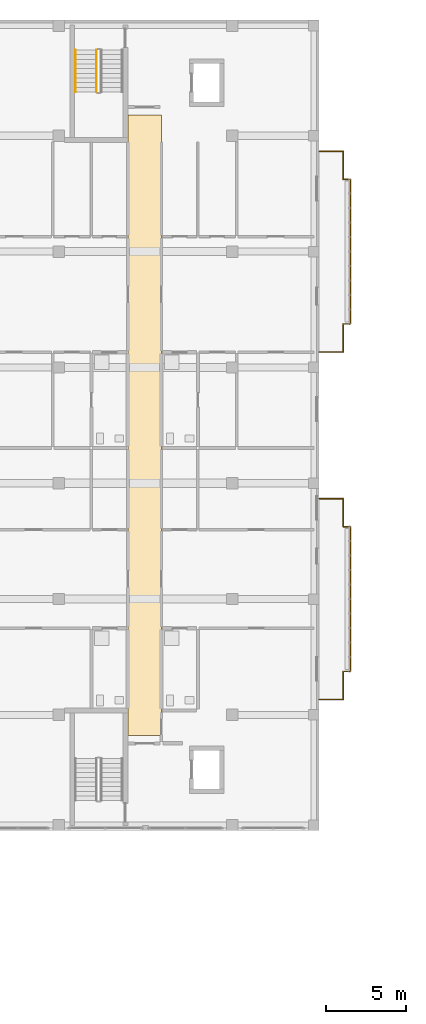
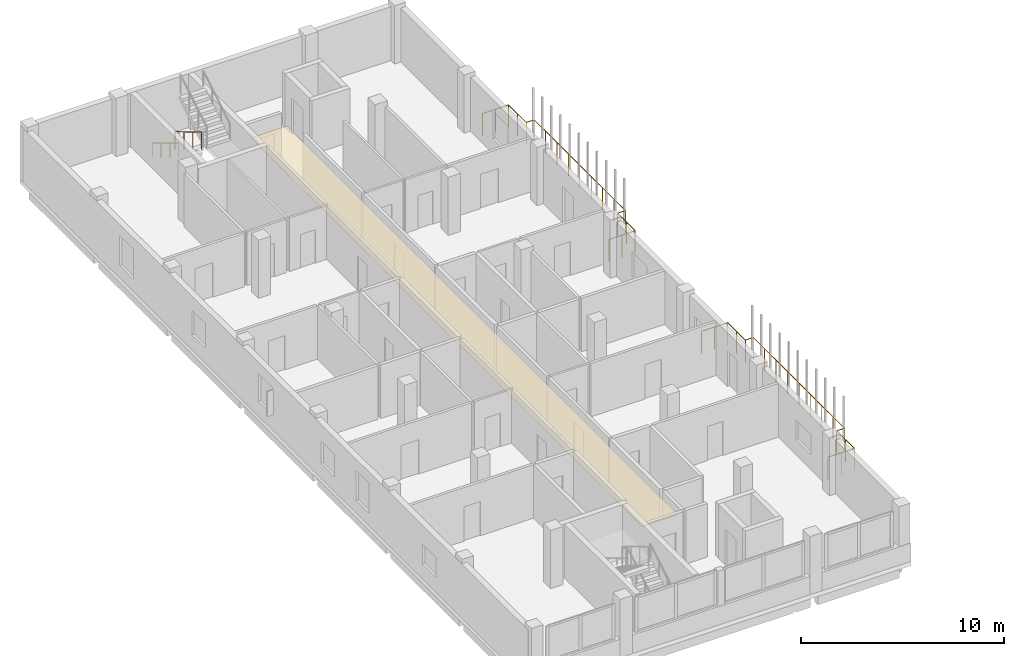
# One storey, part 64 of 73: 4 railings, 1 covering.
"""IFC4 building model written with IfcOpenShell, lengths in metres."""

from ifc_helpers import new_model, si_unit, derived_unit, direction, frame, origin, origin_2d, place, context, subcontext, project, spatial, polyline, circle, outline, extrude, material, layer, layer_set, type_object, element, save


model = new_model("IFC4")

# Units and contexts
model_context = context("Model", 3, precision=1e-05, world=origin(), true_north=direction((0.0, 1.0)))
body_context = subcontext(model_context, "Body", "Model", "MODEL_VIEW")
ifc_project = project(units=[si_unit("LENGTHUNIT", "METRE"), si_unit("AREAUNIT", "SQUARE_METRE"), si_unit("VOLUMEUNIT", "CUBIC_METRE"), si_unit("PLANEANGLEUNIT", "RADIAN"), si_unit("MASSUNIT", "GRAM", prefix="KILO"), derived_unit("THERMALTRANSMITTANCEUNIT", [(si_unit("MASSUNIT", "GRAM", prefix="KILO"), 1), (si_unit("TIMEUNIT", "SECOND"), -3), (si_unit("THERMODYNAMICTEMPERATUREUNIT", "KELVIN"), -1)])], contexts=[model_context])

# Site, building, storey
site_placement = place(None, origin())
site = spatial("IfcSite", under=ifc_project, at=site_placement, CompositionType="ELEMENT")
building_placement = place(site_placement, origin())
building = spatial("IfcBuilding", under=site, at=building_placement, Name="Ochrekiln Boulevard Commons", CompositionType="ELEMENT")
storey_placement = place(building_placement, frame((0.0, 0.0, 8.574951171875)))
storey = spatial("IfcBuildingStorey", under=building, at=storey_placement, Name="L02", CompositionType="ELEMENT", Elevation=8.574951171875)

# Covering
ifc_material_1 = material(Name="Mineral-fibre acoustic ceiling tile")
ifc_layer = layer(ifc_material_1, 0.02490234375)
ifc_layer_set = layer_set([ifc_layer], Name="Mineral-fibre acoustic ceiling tile")
covering_type = type_object("IfcCoveringType", Name="COV-CEIL-AC", PredefinedType="CEILING", material=ifc_layer_set)
covering_placement = place(storey_placement, frame((0.0, 0.0, 2.650146484375)))
element("IfcCovering", 1, at=covering_placement, inside=storey, type_object=covering_type, Name="L02 Acoustic Corridor Ceiling 31", PredefinedType="CEILING", context=body_context, shape_type="SweptSolid", body=[
    extrude(outline(polyline([(9.719970703125, 74.320068359375), (11.780029296875, 74.320068359375), (11.780029296875, 112.8798828125), (9.719970703125, 112.8798828125), (9.719970703125, 74.320068359375)])), origin(), (0.0, 0.0, 1.0), 0.02490234375),
])

# Railings
ifc_material_2 = material(Name="Bronze-anodized extruded aluminium 6063-T6", Category="aluminium")
railing_type_1 = type_object("IfcRailingType", Name="RLG-BAL-1350", PredefinedType="BALUSTRADE", material=ifc_material_2)
railing_1_placement = place(storey_placement, frame((21.60009765625, 76.56005859375, 0.0)))
element("IfcRailing", 2, at=railing_1_placement, inside=storey, type_object=railing_type_1, Name="Block A L02 Balcony Guard Balustrade 1", PredefinedType="BALUSTRADE", context=body_context, shape_type="SweptSolid", body=[
    extrude(circle(Radius=0.02392578125, at=origin_2d()), frame((0.0, 0.0, 1.326171875), z_axis=(1.0, 0.0, 0.0), x_axis=(0.0, 1.0, 0.0)), (0.0, 0.0, 1.0), 1.489990234375),
    extrude(circle(Radius=0.02392578125, at=origin_2d()), frame((1.489990234375, 0.0, 1.326171875), z_axis=(0.0, 1.0, 0.0), x_axis=(-1.0, 0.0, 0.0)), (0.0, 0.0, 1.0), 1.739990234375),
    extrude(circle(Radius=0.02392578125, at=origin_2d()), frame((1.489990234375, 1.739990234375, 1.326171875), z_axis=(1.0, 0.0, 0.0), x_axis=(0.0, 1.0, 0.0)), (0.0, 0.0, 1.0), 0.449951171875),
    extrude(circle(Radius=0.02392578125, at=origin_2d()), frame((1.93994140625, 1.739990234375, 1.326171875), z_axis=(0.0, 1.0, 0.0), x_axis=(-1.0, 0.0, 0.0)), (0.0, 0.0, 1.0), 9.0),
    extrude(circle(Radius=0.02392578125, at=origin_2d()), frame((1.93994140625, 10.739990234375, 1.326171875), z_axis=(-1.0, 0.0, 0.0), x_axis=(0.0, -1.0, 0.0)), (0.0, 0.0, 1.0), 0.449951171875),
    extrude(circle(Radius=0.02392578125, at=origin_2d()), frame((1.489990234375, 10.739990234375, 1.326171875), z_axis=(0.0, 1.0, 0.0), x_axis=(-1.0, 0.0, 0.0)), (0.0, 0.0, 1.0), 1.739990234375),
    extrude(circle(Radius=0.02392578125, at=origin_2d()), frame((1.489990234375, 12.47998046875, 1.326171875), z_axis=(-1.0, 0.0, 0.0), x_axis=(0.0, -1.0, 0.0)), (0.0, 0.0, 1.0), 1.489990234375),
    extrude(circle(Radius=0.02099609375, at=origin_2d()), origin(), (0.0, 0.0, 1.0), 1.302001953125),
    extrude(circle(Radius=0.02099609375, at=origin_2d()), frame((0.7451171875, 0.0, 0.0)), (0.0, 0.0, 1.0), 1.302001953125),
    extrude(circle(Radius=0.02099609375, at=origin_2d()), frame((1.489990234375, 0.0, 0.0)), (0.0, 0.0, 1.0), 1.302001953125),
    extrude(circle(Radius=0.02099609375, at=origin_2d()), frame((1.489990234375, 0.8701171875, 0.0)), (0.0, 0.0, 1.0), 1.302001953125),
    extrude(circle(Radius=0.02099609375, at=origin_2d()), frame((1.489990234375, 1.739990234375, 0.0)), (0.0, 0.0, 1.0), 1.302001953125),
    extrude(circle(Radius=0.02099609375, at=origin_2d()), frame((1.93994140625, 1.739990234375, 0.0)), (0.0, 0.0, 1.0), 1.302001953125),
    extrude(circle(Radius=0.02099609375, at=origin_2d()), frame((1.93994140625, 2.864990234375, 0.0)), (0.0, 0.0, 1.0), 1.302001953125),
    extrude(circle(Radius=0.02099609375, at=origin_2d()), frame((1.93994140625, 3.989990234375, 0.0)), (0.0, 0.0, 1.0), 1.302001953125),
    extrude(circle(Radius=0.02099609375, at=origin_2d()), frame((1.93994140625, 5.114990234375, 0.0)), (0.0, 0.0, 1.0), 1.302001953125),
    extrude(circle(Radius=0.02099609375, at=origin_2d()), frame((1.93994140625, 6.239990234375, 0.0)), (0.0, 0.0, 1.0), 1.302001953125),
    extrude(circle(Radius=0.02099609375, at=origin_2d()), frame((1.93994140625, 7.364990234375, 0.0)), (0.0, 0.0, 1.0), 1.302001953125),
    extrude(circle(Radius=0.02099609375, at=origin_2d()), frame((1.93994140625, 8.489990234375, 0.0)), (0.0, 0.0, 1.0), 1.302001953125),
    extrude(circle(Radius=0.02099609375, at=origin_2d()), frame((1.93994140625, 9.614990234375, 0.0)), (0.0, 0.0, 1.0), 1.302001953125),
    extrude(circle(Radius=0.02099609375, at=origin_2d()), frame((1.93994140625, 10.739990234375, 0.0)), (0.0, 0.0, 1.0), 1.302001953125),
    extrude(circle(Radius=0.02099609375, at=origin_2d()), frame((1.489990234375, 10.739990234375, 0.0)), (0.0, 0.0, 1.0), 1.302001953125),
    extrude(circle(Radius=0.02099609375, at=origin_2d()), frame((1.489990234375, 11.60986328125, 0.0)), (0.0, 0.0, 1.0), 1.302001953125),
    extrude(circle(Radius=0.02099609375, at=origin_2d()), frame((1.489990234375, 12.47998046875, 0.0)), (0.0, 0.0, 1.0), 1.302001953125),
    extrude(circle(Radius=0.02099609375, at=origin_2d()), frame((0.7451171875, 12.47998046875, 0.0)), (0.0, 0.0, 1.0), 1.302001953125),
    extrude(circle(Radius=0.02099609375, at=origin_2d()), frame((0.0, 12.47998046875, 0.0)), (0.0, 0.0, 1.0), 1.302001953125),
])
railing_2_placement = place(storey_placement, frame((21.60009765625, 98.159912109375, 0.0)))
element("IfcRailing", 3, at=railing_2_placement, inside=storey, type_object=railing_type_1, Name="Block A L02 Balcony Guard Balustrade 2", PredefinedType="BALUSTRADE", context=body_context, shape_type="SweptSolid", body=[
    extrude(circle(Radius=0.02392578125, at=origin_2d()), frame((0.0, 0.0, 1.326171875), z_axis=(1.0, 0.0, 0.0), x_axis=(0.0, 1.0, 0.0)), (0.0, 0.0, 1.0), 1.489990234375),
    extrude(circle(Radius=0.02392578125, at=origin_2d()), frame((1.489990234375, 0.0, 1.326171875), z_axis=(0.0, 1.0, 0.0), x_axis=(-1.0, 0.0, 0.0)), (0.0, 0.0, 1.0), 1.739990234375),
    extrude(circle(Radius=0.02392578125, at=origin_2d()), frame((1.489990234375, 1.739990234375, 1.326171875), z_axis=(1.0, 0.0, 0.0), x_axis=(0.0, 1.0, 0.0)), (0.0, 0.0, 1.0), 0.449951171875),
    extrude(circle(Radius=0.02392578125, at=origin_2d()), frame((1.93994140625, 1.739990234375, 1.326171875), z_axis=(0.0, 1.0, 0.0), x_axis=(-1.0, 0.0, 0.0)), (0.0, 0.0, 1.0), 9.0),
    extrude(circle(Radius=0.02392578125, at=origin_2d()), frame((1.93994140625, 10.739990234375, 1.326171875), z_axis=(-1.0, 0.0, 0.0), x_axis=(0.0, -1.0, 0.0)), (0.0, 0.0, 1.0), 0.449951171875),
    extrude(circle(Radius=0.02392578125, at=origin_2d()), frame((1.489990234375, 10.739990234375, 1.326171875), z_axis=(0.0, 1.0, 0.0), x_axis=(-1.0, 0.0, 0.0)), (0.0, 0.0, 1.0), 1.739990234375),
    extrude(circle(Radius=0.02392578125, at=origin_2d()), frame((1.489990234375, 12.47998046875, 1.326171875), z_axis=(-1.0, 0.0, 0.0), x_axis=(0.0, -1.0, 0.0)), (0.0, 0.0, 1.0), 1.489990234375),
    extrude(circle(Radius=0.02099609375, at=origin_2d()), origin(), (0.0, 0.0, 1.0), 1.302001953125),
    extrude(circle(Radius=0.02099609375, at=origin_2d()), frame((0.7451171875, 0.0, 0.0)), (0.0, 0.0, 1.0), 1.302001953125),
    extrude(circle(Radius=0.02099609375, at=origin_2d()), frame((1.489990234375, 0.0, 0.0)), (0.0, 0.0, 1.0), 1.302001953125),
    extrude(circle(Radius=0.02099609375, at=origin_2d()), frame((1.489990234375, 0.8701171875, 0.0)), (0.0, 0.0, 1.0), 1.302001953125),
    extrude(circle(Radius=0.02099609375, at=origin_2d()), frame((1.489990234375, 1.739990234375, 0.0)), (0.0, 0.0, 1.0), 1.302001953125),
    extrude(circle(Radius=0.02099609375, at=origin_2d()), frame((1.93994140625, 1.739990234375, 0.0)), (0.0, 0.0, 1.0), 1.302001953125),
    extrude(circle(Radius=0.02099609375, at=origin_2d()), frame((1.93994140625, 2.864990234375, 0.0)), (0.0, 0.0, 1.0), 1.302001953125),
    extrude(circle(Radius=0.02099609375, at=origin_2d()), frame((1.93994140625, 3.989990234375, 0.0)), (0.0, 0.0, 1.0), 1.302001953125),
    extrude(circle(Radius=0.02099609375, at=origin_2d()), frame((1.93994140625, 5.114990234375, 0.0)), (0.0, 0.0, 1.0), 1.302001953125),
    extrude(circle(Radius=0.02099609375, at=origin_2d()), frame((1.93994140625, 6.239990234375, 0.0)), (0.0, 0.0, 1.0), 1.302001953125),
    extrude(circle(Radius=0.02099609375, at=origin_2d()), frame((1.93994140625, 7.364990234375, 0.0)), (0.0, 0.0, 1.0), 1.302001953125),
    extrude(circle(Radius=0.02099609375, at=origin_2d()), frame((1.93994140625, 8.489990234375, 0.0)), (0.0, 0.0, 1.0), 1.302001953125),
    extrude(circle(Radius=0.02099609375, at=origin_2d()), frame((1.93994140625, 9.614990234375, 0.0)), (0.0, 0.0, 1.0), 1.302001953125),
    extrude(circle(Radius=0.02099609375, at=origin_2d()), frame((1.93994140625, 10.739990234375, 0.0)), (0.0, 0.0, 1.0), 1.302001953125),
    extrude(circle(Radius=0.02099609375, at=origin_2d()), frame((1.489990234375, 10.739990234375, 0.0)), (0.0, 0.0, 1.0), 1.302001953125),
    extrude(circle(Radius=0.02099609375, at=origin_2d()), frame((1.489990234375, 11.60986328125, 0.0)), (0.0, 0.0, 1.0), 1.302001953125),
    extrude(circle(Radius=0.02099609375, at=origin_2d()), frame((1.489990234375, 12.47998046875, 0.0)), (0.0, 0.0, 1.0), 1.302001953125),
    extrude(circle(Radius=0.02099609375, at=origin_2d()), frame((0.7451171875, 12.47998046875, 0.0)), (0.0, 0.0, 1.0), 1.302001953125),
    extrude(circle(Radius=0.02099609375, at=origin_2d()), frame((0.0, 12.47998046875, 0.0)), (0.0, 0.0, 1.0), 1.302001953125),
])
ifc_material_3 = material(Name="Brushed stainless steel 316 tubular railing", Category="steel")
railing_type_2 = type_object("IfcRailingType", Name="RLG-HDR-900", PredefinedType="HANDRAIL", material=ifc_material_3)
railing_3_placement = place(storey_placement, frame((6.449951171875, 116.929931640625, 0.175048828125)))
element("IfcRailing", 4, at=railing_3_placement, inside=storey, type_object=railing_type_2, Name="L02 ST-A2 stair handrail 1", PredefinedType="HANDRAIL", context=body_context, shape_type="SweptSolid", body=[
    extrude(circle(Radius=0.02392578125, at=origin_2d()), frame((0.0, 0.0, 0.8759765625), z_axis=(0.0, -0.85618277418, 0.516673066065), x_axis=(1.0, 0.0, 0.0)), (0.0, 0.0, 1.0), 3.04833984375),
    extrude(circle(Radius=0.02099609375, at=origin_2d()), origin(), (0.0, 0.0, 1.0), 0.851806640625),
    extrude(circle(Radius=0.02099609375, at=origin_2d()), frame((0.0, -0.869873046875, 0.52490234375)), (0.0, 0.0, 1.0), 0.851806640625),
    extrude(circle(Radius=0.02099609375, at=origin_2d()), frame((0.0, -1.739990234375, 1.050048828125)), (0.0, 0.0, 1.0), 0.851806640625),
    extrude(circle(Radius=0.02099609375, at=origin_2d()), frame((0.0, -2.60986328125, 1.574951171875)), (0.0, 0.0, 1.0), 0.851806640625),
])
railing_type_3 = type_object("IfcRailingType", Name="RLG-STR-1120", PredefinedType="BALUSTRADE", material=ifc_material_3)
railing_4_placement = place(storey_placement, frame((7.75, 116.929931640625, 0.175048828125)))
element("IfcRailing", 5, at=railing_4_placement, inside=storey, type_object=railing_type_3, Name="L02 ST-A2 stair guard 1", PredefinedType="BALUSTRADE", context=body_context, shape_type="SweptSolid", body=[
    extrude(circle(Radius=0.02392578125, at=origin_2d()), frame((0.0, 0.0, 1.09619140625), z_axis=(0.0, -0.85618277418, 0.516673066065), x_axis=(1.0, 0.0, 0.0)), (0.0, 0.0, 1.0), 3.04833984375),
    extrude(circle(Radius=0.02099609375, at=origin_2d()), origin(), (0.0, 0.0, 1.0), 1.072021484375),
    extrude(circle(Radius=0.02099609375, at=origin_2d()), frame((0.0, -0.869873046875, 0.52490234375)), (0.0, 0.0, 1.0), 1.072021484375),
    extrude(circle(Radius=0.02099609375, at=origin_2d()), frame((0.0, -1.739990234375, 1.050048828125)), (0.0, 0.0, 1.0), 1.072021484375),
    extrude(circle(Radius=0.02099609375, at=origin_2d()), frame((0.0, -2.60986328125, 1.574951171875)), (0.0, 0.0, 1.0), 1.072021484375),
])

save(model, "model.ifc")
